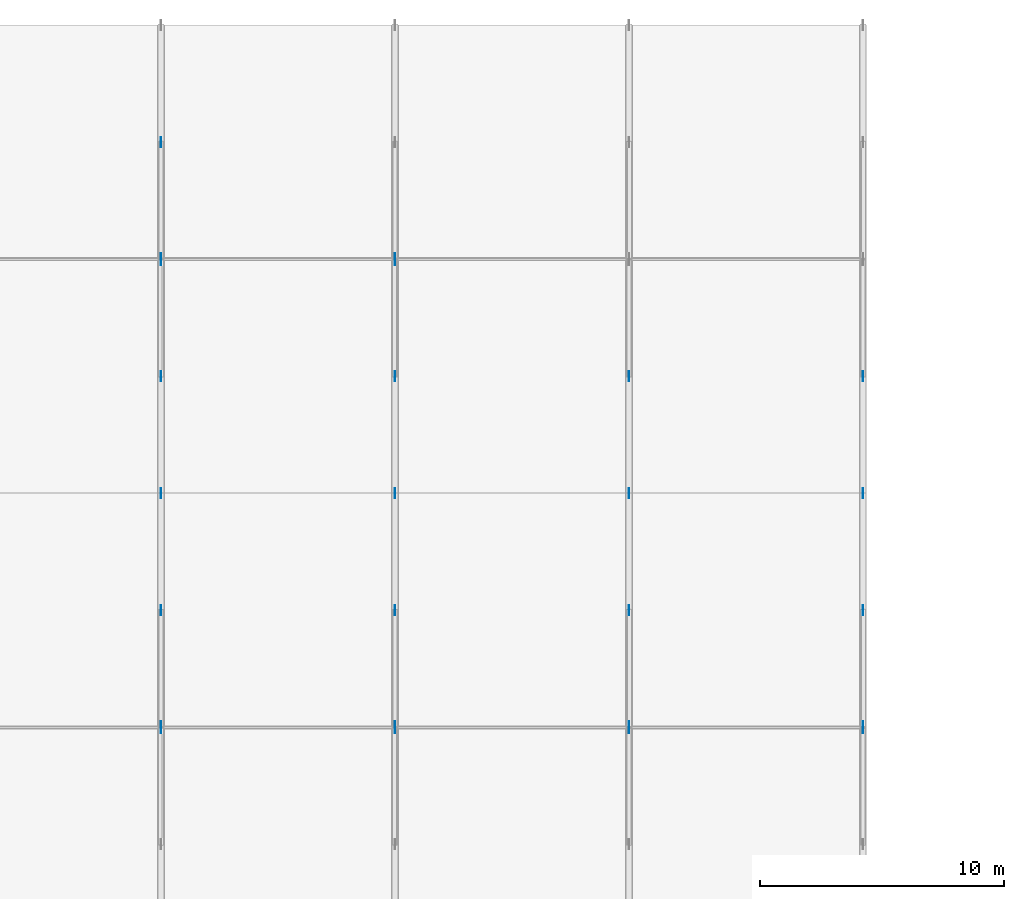
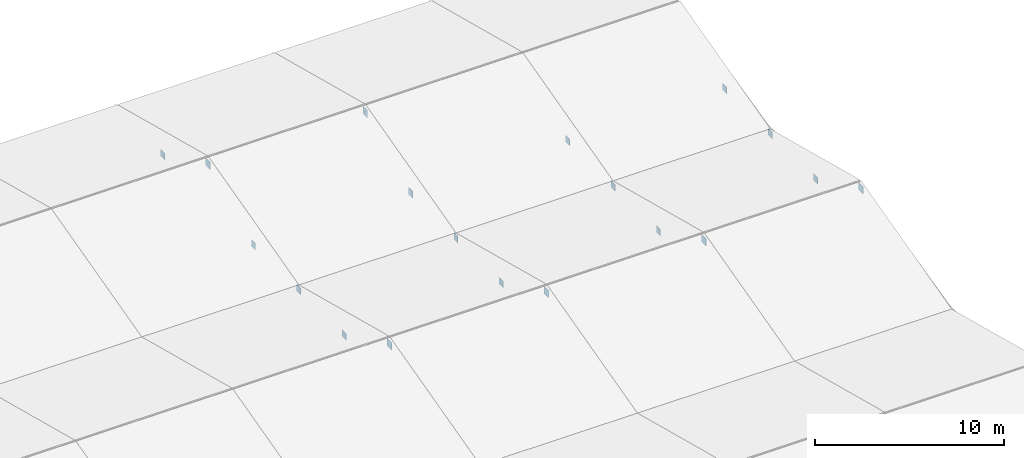
# One storey, part 29 of 52: 19 plates.
"""IFC4 building model written with IfcOpenShell, lengths in metres."""

import ifcopenshell
import ifcopenshell.guid

model = None  # the IFC model being written
_history = None  # IfcOwnerHistory: only IFC2X3 demands one
_inside = {}  # id of a spatial element -> (the spatial element, [elements in it])
_under = {}  # id of a project, library or spatial element -> (it, [spatial elements below it])
_declared = {}  # id of a project -> (the project, [libraries it declares])
_typed = {}  # id of a type object -> (the type object, [elements of that type])
_made_of = {}  # id of a material, layer set ... -> (it, [elements and type objects made of it])


def new_model(schema):
    """Start an empty IFC model of exactly this schema.

    Asked for "IFC4X3", IfcOpenShell would pick the latest addendum, in which some entities
    have other attributes; the version numbers below select the first issue.
    IFC2X3 requires an IfcOwnerHistory on every rooted entity: one is made here for all.
    """
    global model, _history
    if schema == "IFC4X3":
        model = ifcopenshell.file(schema_version=(4, 3, 0, 0))
    else:
        model = ifcopenshell.file(schema=schema)
    _inside.clear()
    _under.clear()
    _declared.clear()
    _typed.clear()
    _made_of.clear()
    _history = None
    if model.schema == "IFC2X3":
        org = make("IfcOrganization", Name="unknown")
        user = make(
            "IfcPersonAndOrganization",
            ThePerson=make("IfcPerson", FamilyName="unknown"),
            TheOrganization=org,
        )
        app = make(
            "IfcApplication",
            ApplicationDeveloper=org,
            Version="unknown",
            ApplicationFullName="unknown",
            ApplicationIdentifier="unknown",
        )
        _history = make(
            "IfcOwnerHistory",
            OwningUser=user,
            OwningApplication=app,
            ChangeAction="ADDED",
            CreationDate=0,
        )
    return model


def make(cls, **values):
    """One entity of the class cls with the attributes given. An attribute that is None is left unset."""
    return model.create_entity(
        cls, **{name: value for name, value in values.items() if value is not None}
    )


def rooted(cls, **values):
    """An entity with a GlobalId (a new one), such as an element, a storey or a relation."""
    return make(cls, GlobalId=ifcopenshell.guid.new(), OwnerHistory=_history, **values)


def si_unit(unit_type, name, prefix=None):
    """IfcSIUnit, for example si_unit("LENGTHUNIT", "METRE", prefix="MILLI")."""
    return make("IfcSIUnit", UnitType=unit_type, Prefix=prefix, Name=name)


def assignment(units):
    """IfcUnitAssignment: the units of a project."""
    return None if units is None else make("IfcUnitAssignment", Units=units)


def point(xyz):
    """IfcCartesianPoint."""
    return None if xyz is None else make("IfcCartesianPoint", Coordinates=xyz)


def direction(xyz):
    """IfcDirection."""
    return None if xyz is None else make("IfcDirection", DirectionRatios=xyz)


def frame(location, z_axis=None, x_axis=None):
    """IfcAxis2Placement3D, a coordinate frame: its origin and axes. An axis left out is left unset."""
    return make(
        "IfcAxis2Placement3D",
        Location=point(location),
        Axis=direction(z_axis),
        RefDirection=direction(x_axis),
    )


def frame_2d(location, x_axis=None):
    """IfcAxis2Placement2D, a coordinate frame in the plane: its origin and x axis."""
    return make(
        "IfcAxis2Placement2D", Location=point(location), RefDirection=direction(x_axis)
    )


def origin():
    """The frame at (0, 0, 0) with its axes left unset."""
    return frame((0.0, 0.0, 0.0))


def origin_2d():
    """The frame at (0, 0) in the plane with its x axis left unset."""
    return frame_2d((0.0, 0.0))


def place(relative_to, where):
    """IfcLocalPlacement: puts the frame where relative to a parent placement (None: the world)."""
    return make(
        "IfcLocalPlacement", PlacementRelTo=relative_to, RelativePlacement=where
    )


def context(
    kind, dimensions, precision=None, world=None, true_north=None, identifier=None
):
    """IfcGeometricRepresentationContext, for example the 3D "Model" context."""
    return make(
        "IfcGeometricRepresentationContext",
        ContextIdentifier=identifier,
        ContextType=kind,
        CoordinateSpaceDimension=dimensions,
        Precision=precision,
        WorldCoordinateSystem=world,
        TrueNorth=true_north,
    )


def subcontext(parent, identifier, kind, view, scale=None):
    """IfcGeometricRepresentationSubContext, for example "Body" below "Model"."""
    return make(
        "IfcGeometricRepresentationSubContext",
        ContextIdentifier=identifier,
        ContextType=kind,
        ParentContext=parent,
        TargetScale=scale,
        TargetView=view,
    )


def project(units=None, contexts=None):
    """IfcProject with its units and contexts."""
    return rooted(
        "IfcProject",
        Name="project",
        RepresentationContexts=contexts,
        UnitsInContext=assignment(units),
    )


def spatial(cls, under=None, at=None, **own):
    """A site, building, storey or space (cls), placed at a placement, below another one or the project."""
    s = rooted(cls, ObjectPlacement=at, **own)
    if under is not None:
        _under.setdefault(under.id(), (under, []))[1].append(s)
    return s


def profile(cls, at=None, kind="AREA", **sizes):
    """A parametric profile (cls). Its sizes go by their IFC names, for example OverallWidth=200.0."""
    return make(cls, ProfileType=kind, Position=at, **sizes)


def rectangle(**sizes):
    """IfcRectangleProfileDef."""
    return profile("IfcRectangleProfileDef", **sizes)


def extrude(swept, where, along, depth):
    """IfcExtrudedAreaSolid: the profile swept, set in the frame where, extruded along a direction by depth."""
    return make(
        "IfcExtrudedAreaSolid",
        SweptArea=swept,
        Position=where,
        ExtrudedDirection=direction(along),
        Depth=depth,
    )


def shape(context_of_items, identifier, shape_type, items):
    """IfcShapeRepresentation: the items that make up one representation, for example the "Body"."""
    return make(
        "IfcShapeRepresentation",
        ContextOfItems=context_of_items,
        RepresentationIdentifier=identifier,
        RepresentationType=shape_type,
        Items=items,
    )


def material(Name=None, Category=None):
    """IfcMaterial."""
    return make("IfcMaterial", Name=Name, Category=Category)


def layer(
    of_material, thickness, ventilated=None, Name=None, Category=None, Priority=None
):
    """IfcMaterialLayer: one layer of a wall or slab, of a material (None: an air gap)."""
    return make(
        "IfcMaterialLayer",
        Material=of_material,
        LayerThickness=thickness,
        IsVentilated=ventilated,
        Name=Name,
        Category=Category,
        Priority=Priority,
    )


def layer_set(layers, Name=None):
    """IfcMaterialLayerSet."""
    return make("IfcMaterialLayerSet", MaterialLayers=layers, LayerSetName=Name)


def made_of(thing, what):
    """Note that an element or type object is made of a material, layer set ...; save() writes the relation."""
    if what is not None:
        _made_of.setdefault(what.id(), (what, []))[1].append(thing)
    return thing


def type_object(cls, material=None, **own):
    """A type object (cls), such as IfcWallType, which elements share."""
    return made_of(rooted(cls, **own), material)


def element(
    cls,
    number,
    at=None,
    inside=None,
    cuts=None,
    type_object=None,
    material=None,
    context=None,
    identifier="Body",
    shape_type=None,
    held_by="IfcProductDefinitionShape",
    body=None,
    shapes=None,
    **own,
):
    """One element of the class cls, such as IfcWall. Its Tag is "e" and its number.

    at: its placement. inside: the storey or other place that contains it. cuts: it is an
    opening in that element (IfcRelVoidsElement). A single representation is given by context,
    identifier, shape_type and body (its items); several are given by shapes. held_by: the class
    of the entity that holds the representations. save() writes the other relations.
    """
    e = rooted(cls, Tag="e%d" % number, ObjectPlacement=at, **own)
    if body is not None:
        shapes = [shape(context, identifier, shape_type, body)]
    if shapes is not None:
        e.Representation = make(held_by, Representations=shapes)
    if inside is not None:
        _inside.setdefault(inside.id(), (inside, []))[1].append(e)
    if cuts is not None:
        rooted(
            "IfcRelVoidsElement", RelatingBuildingElement=cuts, RelatedOpeningElement=e
        )
    if type_object is not None:
        _typed.setdefault(type_object.id(), (type_object, []))[1].append(e)
    return made_of(e, material)


def aggregate(whole, parts):
    """IfcRelAggregates: a whole, such as a stair, and the parts it consists of."""
    return rooted("IfcRelAggregates", RelatingObject=whole, RelatedObjects=parts)


def save(model, path):
    """Write the relations noted so far, then the file.

    IfcRelAggregates (storeys below a building ...), IfcRelContainedInSpatialStructure (elements
    in a storey), IfcRelDefinesByType, IfcRelAssociatesMaterial and IfcRelDeclares: one each for
    every whole, place, type object, material and project.
    """
    for whole, parts in _under.values():
        aggregate(whole, parts)
    for where, things in _inside.values():
        rooted(
            "IfcRelContainedInSpatialStructure",
            RelatedElements=things,
            RelatingStructure=where,
        )
    for kind, things in _typed.values():
        rooted("IfcRelDefinesByType", RelatedObjects=things, RelatingType=kind)
    for what, things in _made_of.values():
        rooted("IfcRelAssociatesMaterial", RelatedObjects=things, RelatingMaterial=what)
    for by, libraries in _declared.values():
        rooted("IfcRelDeclares", RelatingContext=by, RelatedDefinitions=libraries)
    model.write(path)


model = new_model("IFC4")

# Units and contexts
model_context = context("Model", 3, precision=1e-05, world=origin(), true_north=direction((0.0, 1.0)))
body_context = subcontext(model_context, "Body", "Model", "MODEL_VIEW")
ifc_project = project(units=[si_unit("LENGTHUNIT", "METRE"), si_unit("AREAUNIT", "SQUARE_METRE"), si_unit("VOLUMEUNIT", "CUBIC_METRE"), si_unit("PLANEANGLEUNIT", "RADIAN"), si_unit("MASSUNIT", "GRAM", prefix="KILO")], contexts=[model_context])

# Site, building, storey
site_placement = place(None, origin())
site = spatial("IfcSite", under=ifc_project, at=site_placement, CompositionType="ELEMENT")
building_placement = place(site_placement, origin())
building = spatial("IfcBuilding", under=site, at=building_placement, Name="Zarnetskaya Central Station", CompositionType="ELEMENT")
storey_placement = place(building_placement, frame((0.0, 0.0, 14.39990234375)))
storey = spatial("IfcBuildingStorey", under=building, at=storey_placement, Name="L03", CompositionType="ELEMENT", Elevation=14.39990234375)

# Plates
ifc_material = material(Name="Steel S355", Category="steel")
ifc_layer_1 = layer(ifc_material, 0.02392578125, Name="Steel S355", Category="steel")
ifc_layer_set_1 = layer_set([ifc_layer_1], Name="Steel S355")
plate_type_1 = type_object("IfcPlateType", Name="ND-GUSSET-24", PredefinedType="USERDEFINED", material=ifc_layer_set_1)
for number, where, z_axis, x_axis, name in (
    (1, (96.0, 96.0, 1.81005859375), (0.0, 0.0, 1.0), (1.0, 0.0, 0.0), "ROOF TRUSS SHED-SV2-05 apex gusset"),
    (2, (105.60009765625, 96.0, 1.81005859375), (0.0, 0.0, 1.0), (1.0, 0.0, 0.0), "ROOF TRUSS SHED-SV2-06 apex gusset"),
    (3, (115.199951171875, 96.0, 1.81005859375), (0.0, 0.0, 1.0), (1.0, 0.0, 0.0), "ROOF TRUSS SHED-SV2-07 apex gusset"),
    (4, (124.800048828125, 96.0, 1.81005859375), (0.0, 0.0, 1.0), (1.0, 0.0, 0.0), "ROOF TRUSS SHED-SV2-08 apex gusset"),
    (5, (96.0, 115.199951171875, 1.81005859375), (0.0, 0.0, 1.0), (1.0, 0.0, 0.0), "ROOF TRUSS SHED-SV3-05 apex gusset"),
    (6, (105.60009765625, 115.199951171875, 1.81005859375), (0.0, 0.0, 1.0), (1.0, 0.0, 0.0), "ROOF TRUSS SHED-SV3-06 apex gusset"),
):
    element("IfcPlate", number, at=place(storey_placement, frame(where, z_axis=z_axis, x_axis=x_axis)), inside=storey, type_object=plate_type_1, Name=name, ObjectType="GUSSET PLATE", PredefinedType="USERDEFINED", context=body_context, shape_type="SweptSolid", body=[
        extrude(rectangle(XDim=0.02392578125, YDim=0.47998046875, at=origin_2d()), origin(), (0.0, 0.0, 1.0), 0.47998046875),
    ])
ifc_layer_2 = layer(ifc_material, 0.028076171875, Name="Steel S355", Category="steel")
ifc_layer_set_2 = layer_set([ifc_layer_2], Name="Steel S355")
plate_type_2 = type_object("IfcPlateType", Name="ND-GUSSET-EXT-28", PredefinedType="USERDEFINED", material=ifc_layer_set_2)
for number, where, z_axis, x_axis, name in (
    (7, (96.0, 105.60009765625, -0.4599609375), (0.0, 0.0, 1.0), (1.0, 0.0, 0.0), "Structural member end gusset plate 061"),
    (8, (96.0, 100.800048828125, -0.4599609375), (0.0, 0.0, 1.0), (1.0, 0.0, 0.0), "Structural member end gusset plate 063"),
    (9, (105.60009765625, 105.60009765625, -0.4599609375), (0.0, 0.0, 1.0), (1.0, 0.0, 0.0), "Structural member end gusset plate 064"),
    (10, (105.60009765625, 100.800048828125, -0.4599609375), (0.0, 0.0, 1.0), (1.0, 0.0, 0.0), "Structural member end gusset plate 066"),
    (11, (115.199951171875, 105.60009765625, -0.4599609375), (0.0, 0.0, 1.0), (1.0, 0.0, 0.0), "Structural member end gusset plate 067"),
    (12, (115.199951171875, 100.800048828125, -0.4599609375), (0.0, 0.0, 1.0), (1.0, 0.0, 0.0), "Structural member end gusset plate 069"),
    (13, (124.800048828125, 105.60009765625, -0.4599609375), (0.0, 0.0, 1.0), (1.0, 0.0, 0.0), "Structural member end gusset plate 070"),
    (14, (124.800048828125, 100.800048828125, -0.4599609375), (0.0, 0.0, 1.0), (1.0, 0.0, 0.0), "Structural member end gusset plate 072"),
    (15, (96.0, 110.39990234375, -0.4599609375), (0.0, 0.0, 1.0), (1.0, 0.0, 0.0), "Structural member end gusset plate 086"),
    (16, (96.0, 120.0, -0.4599609375), (0.0, 0.0, 1.0), (1.0, 0.0, 0.0), "Structural member end gusset plate 087"),
    (17, (105.60009765625, 110.39990234375, -0.4599609375), (0.0, 0.0, 1.0), (1.0, 0.0, 0.0), "Structural member end gusset plate 089"),
    (18, (115.199951171875, 110.39990234375, -0.4599609375), (0.0, 0.0, 1.0), (1.0, 0.0, 0.0), "Structural member end gusset plate 092"),
    (19, (124.800048828125, 110.39990234375, -0.4599609375), (0.0, 0.0, 1.0), (1.0, 0.0, 0.0), "Structural member end gusset plate 095"),
):
    element("IfcPlate", number, at=place(storey_placement, frame(where, z_axis=z_axis, x_axis=x_axis)), inside=storey, type_object=plate_type_2, Name=name, ObjectType="GUSSET PLATE", PredefinedType="USERDEFINED", context=body_context, shape_type="SweptSolid", body=[
        extrude(rectangle(XDim=0.028076171875, YDim=0.419921875, at=origin_2d()), origin(), (0.0, 0.0, 1.0), 0.419921875),
    ])

save(model, "model.ifc")
